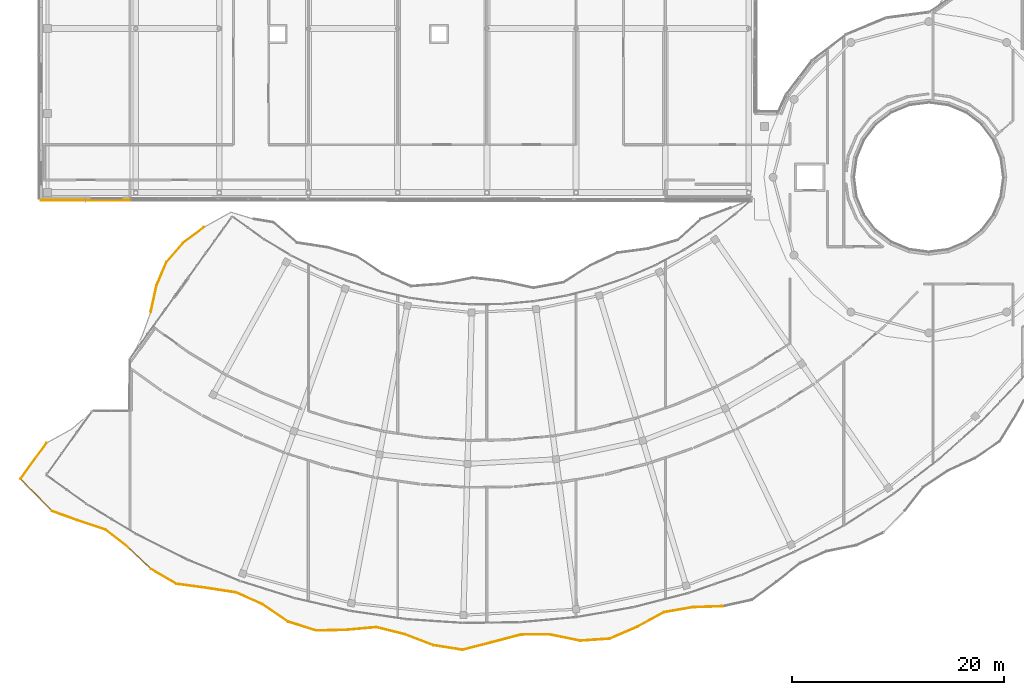
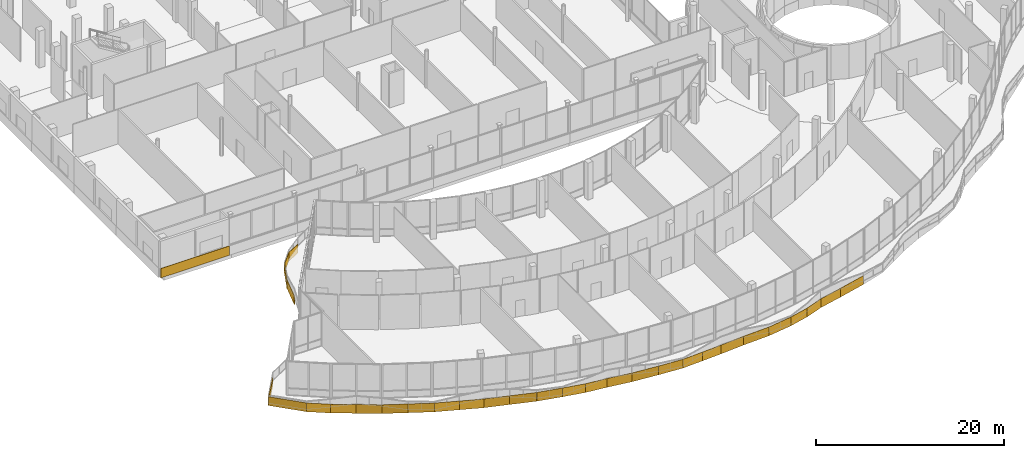
# One storey, part 143 of 155: 31 coverings.
"""IFC4 building model written with IfcOpenShell, lengths in metres."""

from ifc_helpers import new_model, si_unit, direction, frame, origin, origin_2d, place, context, subcontext, project, spatial, polyline, rectangle, outline, extrude, material, layer, layer_set, type_object, element, save


model = new_model("IFC4")

# Units and contexts
model_context = context("Model", 3, precision=1e-05, world=origin(), true_north=direction((0.0, 1.0)))
body_context = subcontext(model_context, "Body", "Model", "MODEL_VIEW")
ifc_project = project(units=[si_unit("LENGTHUNIT", "METRE"), si_unit("AREAUNIT", "SQUARE_METRE"), si_unit("VOLUMEUNIT", "CUBIC_METRE"), si_unit("PLANEANGLEUNIT", "RADIAN"), si_unit("MASSUNIT", "GRAM", prefix="KILO")], contexts=[model_context])

# Site, building, storey
site_placement = place(None, origin())
site = spatial("IfcSite", under=ifc_project, at=site_placement, CompositionType="ELEMENT")
building_placement = place(site_placement, origin())
building = spatial("IfcBuilding", under=site, at=building_placement, Name="Selatvlak General Hospital", CompositionType="ELEMENT")
storey_placement = place(building_placement, frame((0.0, 0.0, 10.199951171875)))
storey = spatial("IfcBuildingStorey", under=building, at=storey_placement, Name="L02", CompositionType="ELEMENT", Elevation=10.199951171875)

# Coverings
ifc_material_1 = material(Name="PVDF aluminium fascia - signal green", Category="aluminium")
ifc_layer_1 = layer(ifc_material_1, 0.070068359375, Name="PVDF aluminium fascia - signal green", Category="aluminium")
ifc_layer_set_1 = layer_set([ifc_layer_1], Name="PVDF aluminium fascia - signal green")
covering_type_1 = type_object("IfcCoveringType", Name="COV-RB-GRN", PredefinedType="CLADDING", material=ifc_layer_set_1)
covering_1_placement = place(storey_placement, frame((29.787109375, 49.306884765625, -0.864990234375), z_axis=(0.0, 0.0, 1.0), x_axis=(-0.800497688976, -0.599335840697, 0.0)))
element("IfcCovering", 1, at=covering_1_placement, inside=storey, type_object=covering_type_1, Name="L02 De Stijl waving fascia streamer 205", PredefinedType="CLADDING", context=body_context, shape_type="SweptSolid", body=[
    extrude(outline(polyline([(0.0, 0.0), (2.470947265625, 0.51416015625), (2.470947265625, 1.654052734375), (0.0, 1.139892578125), (0.0, 0.0)])), frame((0.0, 0.03515625, 0.0), z_axis=(0.0, -1.0, 0.0), x_axis=(1.0, 0.0, 0.0)), (0.0, 0.0, 1.0), 0.070068359375),
])
covering_2_placement = place(storey_placement, frame((27.80908203125, 47.825927734375, -0.350830078125), z_axis=(0.0, 0.0, 1.0), x_axis=(-0.658263751959, -0.752787375596, 0.0)))
element("IfcCovering", 2, at=covering_2_placement, inside=storey, type_object=covering_type_1, Name="L02 De Stijl waving fascia streamer 206", PredefinedType="CLADDING", context=body_context, shape_type="SweptSolid", body=[
    extrude(outline(polyline([(0.0, 0.0), (2.368408203125, 0.15576171875), (2.368408203125, 1.295654296875), (0.0, 1.139892578125), (0.0, 0.0)])), frame((0.0, 0.03515625, 0.0), z_axis=(0.0, -1.0, 0.0), x_axis=(1.0, 0.0, 0.0)), (0.0, 0.0, 1.0), 0.070068359375),
])
covering_3_placement = place(storey_placement, frame((26.25, 46.04296875, -0.195068359375), z_axis=(0.0, 0.0, 1.0), x_axis=(-0.390101148653, -0.920772009685, 0.0)))
element("IfcCovering", 3, at=covering_3_placement, inside=storey, type_object=covering_type_1, Name="L02 De Stijl waving fascia streamer 207", PredefinedType="CLADDING", context=body_context, shape_type="SweptSolid", body=[
    extrude(outline(polyline([(0.0, 0.0), (2.417724609375, -0.370849609375), (2.417724609375, 0.76904296875), (0.0, 1.139892578125), (0.0, 0.0)])), frame((0.0, 0.03515625, 0.0), z_axis=(0.0, -1.0, 0.0), x_axis=(1.0, 0.0, 0.0)), (0.0, 0.0, 1.0), 0.070068359375),
])
covering_4_placement = place(storey_placement, frame((25.306884765625, 43.81689453125, -0.56591796875), z_axis=(0.0, 0.0, 1.0), x_axis=(-0.2158525458, -0.976425971834, 0.0)))
element("IfcCovering", 4, at=covering_4_placement, inside=storey, type_object=covering_type_1, Name="L02 De Stijl waving fascia streamer 208", PredefinedType="CLADDING", context=body_context, shape_type="SweptSolid", body=[
    extrude(outline(polyline([(0.0, 0.0), (2.56640625, -0.406982421875), (2.56640625, 0.73291015625), (0.0, 1.139892578125), (0.0, 0.0)])), frame((0.0, 0.03515625, 0.0), z_axis=(0.0, -1.0, 0.0), x_axis=(1.0, 0.0, 0.0)), (0.0, 0.0, 1.0), 0.070068359375),
])
covering_5_placement = place(storey_placement, frame((14.952880859375, 28.993896484375, -0.740966796875), z_axis=(0.0, 0.0, 1.0), x_axis=(-0.586980920087, -0.809600765473, 0.0)))
element("IfcCovering", 5, at=covering_5_placement, inside=storey, type_object=covering_type_1, Name="L02 De Stijl waving fascia streamer 209", PredefinedType="CLADDING", context=body_context, shape_type="SweptSolid", body=[
    extrude(outline(polyline([(0.0, 0.0), (4.19580078125, 0.489990234375), (4.19580078125, 1.6298828125), (0.0, 1.139892578125), (0.0, 0.0)])), frame((0.0, 0.03515625, 0.0), z_axis=(0.0, -1.0, 0.0), x_axis=(1.0, 0.0, 0.0)), (0.0, 0.0, 1.0), 0.070068359375),
])
covering_6_placement = place(storey_placement, frame((12.488037109375, 25.60693359375, -0.2509765625), z_axis=(0.0, 0.0, 1.0), x_axis=(0.697703146599, -0.71638698985, 0.0)))
element("IfcCovering", 6, at=covering_6_placement, inside=storey, type_object=covering_type_1, Name="L02 De Stijl waving fascia streamer 210", PredefinedType="CLADDING", context=body_context, shape_type="SweptSolid", body=[
    extrude(outline(polyline([(0.0, 0.0), (4.233642578125, -0.009033203125), (4.233642578125, 1.130859375), (0.0, 1.139892578125), (0.0, 0.0)])), frame((0.0, 0.03515625, 0.0), z_axis=(0.0, -1.0, 0.0), x_axis=(1.0, 0.0, 0.0)), (0.0, 0.0, 1.0), 0.070068359375),
])
covering_7_placement = place(storey_placement, frame((15.43798828125, 22.5791015625, -0.260009765625), z_axis=(0.0, 0.0, 1.0), x_axis=(0.93994973175, -0.341312908903, 0.0)))
element("IfcCovering", 7, at=covering_7_placement, inside=storey, type_object=covering_type_1, Name="L02 De Stijl waving fascia streamer 211", PredefinedType="CLADDING", context=body_context, shape_type="SweptSolid", body=[
    extrude(outline(polyline([(0.0, 0.0), (2.55224609375, -0.475830078125), (2.55224609375, 0.6640625), (0.0, 1.139892578125), (0.0, 0.0)])), frame((0.0, 0.03515625, 0.0), z_axis=(0.0, -1.0, 0.0), x_axis=(1.0, 0.0, 0.0)), (0.0, 0.0, 1.0), 0.070068359375),
])
covering_8_placement = place(storey_placement, frame((17.8369140625, 21.708984375, -0.73583984375), z_axis=(0.0, 0.0, 1.0), x_axis=(0.948942890754, -0.31544791977, 0.0)))
element("IfcCovering", 8, at=covering_8_placement, inside=storey, type_object=covering_type_1, Name="L02 De Stijl waving fascia streamer 212", PredefinedType="CLADDING", context=body_context, shape_type="SweptSolid", body=[
    extrude(outline(polyline([(0.0, 0.0), (2.81787109375, -0.43310546875), (2.81787109375, 0.706787109375), (0.0, 1.139892578125), (0.0, 0.0)])), frame((0.0, 0.03515625, 0.0), z_axis=(0.0, -1.0, 0.0), x_axis=(1.0, 0.0, 0.0)), (0.0, 0.0, 1.0), 0.070068359375),
])
covering_9_placement = place(storey_placement, frame((20.510986328125, 20.820068359375, -1.1689453125), z_axis=(0.0, 0.0, 1.0), x_axis=(0.786045532573, -0.618168602181, 0.0)))
element("IfcCovering", 9, at=covering_9_placement, inside=storey, type_object=covering_type_1, Name="L02 De Stijl waving fascia streamer 213", PredefinedType="CLADDING", context=body_context, shape_type="SweptSolid", body=[
    extrude(outline(polyline([(0.0, 0.0), (2.7646484375, 0.236083984375), (2.7646484375, 1.3759765625), (0.0, 1.139892578125), (0.0, 0.0)])), frame((0.0, 0.03515625, 0.0), z_axis=(0.0, -1.0, 0.0), x_axis=(1.0, 0.0, 0.0)), (0.0, 0.0, 1.0), 0.070068359375),
])
covering_10_placement = place(storey_placement, frame((22.68310546875, 19.111083984375, -0.932861328125), z_axis=(0.0, 0.0, 1.0), x_axis=(0.723801806159, -0.690007931404, 0.0)))
element("IfcCovering", 10, at=covering_10_placement, inside=storey, type_object=covering_type_1, Name="L02 De Stijl waving fascia streamer 214", PredefinedType="CLADDING", context=body_context, shape_type="SweptSolid", body=[
    extrude(outline(polyline([(0.0, 0.0), (2.8681640625, 0.58203125), (2.8681640625, 1.721923828125), (0.0, 1.139892578125), (0.0, 0.0)])), frame((0.0, 0.03515625, 0.0), z_axis=(0.0, -1.0, 0.0), x_axis=(1.0, 0.0, 0.0)), (0.0, 0.0, 1.0), 0.070068359375),
])
covering_11_placement = place(storey_placement, frame((24.758056640625, 17.133056640625, -0.350830078125), z_axis=(0.0, 0.0, 1.0), x_axis=(0.861682032283, -0.507448593692, 0.0)))
element("IfcCovering", 11, at=covering_11_placement, inside=storey, type_object=covering_type_1, Name="L02 De Stijl waving fascia streamer 215", PredefinedType="CLADDING", context=body_context, shape_type="SweptSolid", body=[
    extrude(outline(polyline([(0.0, 0.0), (2.78857421875, 0.1318359375), (2.78857421875, 1.271728515625), (0.0, 1.139892578125), (0.0, 0.0)])), frame((0.0, 0.03515625, 0.0), z_axis=(0.0, -1.0, 0.0), x_axis=(1.0, 0.0, 0.0)), (0.0, 0.0, 1.0), 0.070068359375),
])
covering_12_placement = place(storey_placement, frame((27.160888671875, 15.718017578125, -0.218994140625), z_axis=(0.0, 0.0, 1.0), x_axis=(0.991121476336, -0.132959464295, 0.0)))
element("IfcCovering", 12, at=covering_12_placement, inside=storey, type_object=covering_type_1, Name="L02 De Stijl waving fascia streamer 216", PredefinedType="CLADDING", context=body_context, shape_type="SweptSolid", body=[
    extrude(outline(polyline([(0.0, 0.0), (2.873779296875, -0.498046875), (2.873779296875, 0.641845703125), (0.0, 1.139892578125), (0.0, 0.0)])), frame((0.0, 0.03515625, 0.0), z_axis=(0.0, -1.0, 0.0), x_axis=(1.0, 0.0, 0.0)), (0.0, 0.0, 1.0), 0.070068359375),
])
covering_13_placement = place(storey_placement, frame((30.008056640625, 15.3359375, -0.717041015625), z_axis=(0.0, 0.0, 1.0), x_axis=(0.988394833124, -0.151906727479, 0.0)))
element("IfcCovering", 13, at=covering_13_placement, inside=storey, type_object=covering_type_1, Name="L02 De Stijl waving fascia streamer 217", PredefinedType="CLADDING", context=body_context, shape_type="SweptSolid", body=[
    extrude(outline(polyline([(0.0, 0.0), (2.804443359375, -0.447998046875), (2.804443359375, 0.69189453125), (0.0, 1.139892578125), (0.0, 0.0)])), frame((0.0, 0.03515625, 0.0), z_axis=(0.0, -1.0, 0.0), x_axis=(1.0, 0.0, 0.0)), (0.0, 0.0, 1.0), 0.070068359375),
])
covering_14_placement = place(storey_placement, frame((32.780029296875, 14.909912109375, -1.1650390625), z_axis=(0.0, 0.0, 1.0), x_axis=(0.913697858453, -0.40639417252, 0.0)))
element("IfcCovering", 14, at=covering_14_placement, inside=storey, type_object=covering_type_1, Name="L02 De Stijl waving fascia streamer 218", PredefinedType="CLADDING", context=body_context, shape_type="SweptSolid", body=[
    extrude(outline(polyline([(0.0, 0.0), (2.74609375, 0.215087890625), (2.74609375, 1.35498046875), (0.0, 1.139892578125), (0.0, 0.0)])), frame((0.0, 0.03515625, 0.0), z_axis=(0.0, -1.0, 0.0), x_axis=(1.0, 0.0, 0.0)), (0.0, 0.0, 1.0), 0.070068359375),
])
covering_15_placement = place(storey_placement, frame((35.2880859375, 13.7939453125, -0.949951171875), z_axis=(0.0, 0.0, 1.0), x_axis=(0.825922479558, -0.563783697673, 0.0)))
element("IfcCovering", 15, at=covering_15_placement, inside=storey, type_object=covering_type_1, Name="L02 De Stijl waving fascia streamer 219", PredefinedType="CLADDING", context=body_context, shape_type="SweptSolid", body=[
    extrude(outline(polyline([(0.0, 0.0), (2.8984375, 0.583984375), (2.8984375, 1.723876953125), (0.0, 1.139892578125), (0.0, 0.0)])), frame((0.0, 0.03515625, 0.0), z_axis=(0.0, -1.0, 0.0), x_axis=(1.0, 0.0, 0.0)), (0.0, 0.0, 1.0), 0.070068359375),
])
covering_16_placement = place(storey_placement, frame((37.681884765625, 12.160888671875, -0.365966796875), z_axis=(0.0, 0.0, 1.0), x_axis=(0.95330393944, -0.302012580943, 0.0)))
element("IfcCovering", 16, at=covering_16_placement, inside=storey, type_object=covering_type_1, Name="L02 De Stijl waving fascia streamer 220", PredefinedType="CLADDING", context=body_context, shape_type="SweptSolid", body=[
    extrude(outline(polyline([(0.0, 0.0), (2.783935546875, 0.155029296875), (2.783935546875, 1.294921875), (0.0, 1.139892578125), (0.0, 0.0)])), frame((0.0, 0.03515625, 0.0), z_axis=(0.0, -1.0, 0.0), x_axis=(1.0, 0.0, 0.0)), (0.0, 0.0, 1.0), 0.070068359375),
])
covering_17_placement = place(storey_placement, frame((40.3349609375, 11.320068359375, -0.2109375), z_axis=(0.0, 0.0, 1.0), x_axis=(0.99973131496, 0.023179686993, 0.0)))
element("IfcCovering", 17, at=covering_17_placement, inside=storey, type_object=covering_type_1, Name="L02 De Stijl waving fascia streamer 221", PredefinedType="CLADDING", context=body_context, shape_type="SweptSolid", body=[
    extrude(outline(polyline([(0.0, 0.0), (2.84375, -0.486083984375), (2.84375, 0.65380859375), (0.0, 1.139892578125), (0.0, 0.0)])), frame((0.0, 0.03515625, 0.0), z_axis=(0.0, -1.0, 0.0), x_axis=(1.0, 0.0, 0.0)), (0.0, 0.0, 1.0), 0.070068359375),
])
covering_18_placement = place(storey_placement, frame((43.177001953125, 11.385986328125, -0.697021484375), z_axis=(0.0, 0.0, 1.0), x_axis=(0.995912943288, 0.090318377929, 0.0)))
element("IfcCovering", 18, at=covering_18_placement, inside=storey, type_object=covering_type_1, Name="L02 De Stijl waving fascia streamer 222", PredefinedType="CLADDING", context=body_context, shape_type="SweptSolid", body=[
    extrude(outline(polyline([(0.0, 0.0), (2.83544921875, -0.4619140625), (2.83544921875, 0.677978515625), (0.0, 1.139892578125), (0.0, 0.0)])), frame((0.0, 0.03515625, 0.0), z_axis=(0.0, -1.0, 0.0), x_axis=(1.0, 0.0, 0.0)), (0.0, 0.0, 1.0), 0.070068359375),
])
covering_19_placement = place(storey_placement, frame((46.0009765625, 11.64208984375, -1.158935546875), z_axis=(0.0, 0.0, 1.0), x_axis=(0.969576637594, -0.244787956876, 0.0)))
element("IfcCovering", 19, at=covering_19_placement, inside=storey, type_object=covering_type_1, Name="L02 De Stijl waving fascia streamer 223", PredefinedType="CLADDING", context=body_context, shape_type="SweptSolid", body=[
    extrude(outline(polyline([(0.0, 0.0), (2.753662109375, 0.19287109375), (2.753662109375, 1.332763671875), (0.0, 1.139892578125), (0.0, 0.0)])), frame((0.0, 0.03515625, 0.0), z_axis=(0.0, -1.0, 0.0), x_axis=(1.0, 0.0, 0.0)), (0.0, 0.0, 1.0), 0.070068359375),
])
covering_20_placement = place(storey_placement, frame((48.669921875, 10.968017578125, -0.966064453125), z_axis=(0.0, 0.0, 1.0), x_axis=(0.934166260427, -0.356838055537, 0.0)))
element("IfcCovering", 20, at=covering_20_placement, inside=storey, type_object=covering_type_1, Name="L02 De Stijl waving fascia streamer 224", PredefinedType="CLADDING", context=body_context, shape_type="SweptSolid", body=[
    extrude(outline(polyline([(0.0, 0.0), (2.86669921875, 0.584228515625), (2.86669921875, 1.72412109375), (0.0, 1.139892578125), (0.0, 0.0)])), frame((0.0, 0.03515625, 0.0), z_axis=(0.0, -1.0, 0.0), x_axis=(1.0, 0.0, 0.0)), (0.0, 0.0, 1.0), 0.070068359375),
])
covering_21_placement = place(storey_placement, frame((51.347900390625, 9.945068359375, -0.3818359375), z_axis=(0.0, 0.0, 1.0), x_axis=(0.987641539463, -0.156729670216, 0.0)))
element("IfcCovering", 21, at=covering_21_placement, inside=storey, type_object=covering_type_1, Name="L02 De Stijl waving fascia streamer 225", PredefinedType="CLADDING", context=body_context, shape_type="SweptSolid", body=[
    extrude(outline(polyline([(0.0, 0.0), (2.79443359375, 0.177001953125), (2.79443359375, 1.31689453125), (0.0, 1.139892578125), (0.0, 0.0)])), frame((0.0, 0.03515625, 0.0), z_axis=(0.0, -1.0, 0.0), x_axis=(1.0, 0.0, 0.0)), (0.0, 0.0, 1.0), 0.070068359375),
])
covering_22_placement = place(storey_placement, frame((54.10693359375, 9.507080078125, -0.204833984375), z_axis=(0.0, 0.0, 1.0), x_axis=(0.96849234565, 0.249043322371, 0.0)))
element("IfcCovering", 22, at=covering_22_placement, inside=storey, type_object=covering_type_1, Name="L02 De Stijl waving fascia streamer 226", PredefinedType="CLADDING", context=body_context, shape_type="SweptSolid", body=[
    extrude(outline(polyline([(0.0, 0.0), (2.866455078125, -0.47314453125), (2.866455078125, 0.666748046875), (0.0, 1.139892578125), (0.0, 0.0)])), frame((0.0, 0.03515625, 0.0), z_axis=(0.0, -1.0, 0.0), x_axis=(1.0, 0.0, 0.0)), (0.0, 0.0, 1.0), 0.070068359375),
])
covering_23_placement = place(storey_placement, frame((56.883056640625, 10.220947265625, -0.677978515625), z_axis=(0.0, 0.0, 1.0), x_axis=(0.966643988985, 0.256123795377, 0.0)))
element("IfcCovering", 23, at=covering_23_placement, inside=storey, type_object=covering_type_1, Name="L02 De Stijl waving fascia streamer 227", PredefinedType="CLADDING", context=body_context, shape_type="SweptSolid", body=[
    extrude(outline(polyline([(0.0, 0.0), (2.81494140625, -0.47607421875), (2.81494140625, 0.663818359375), (0.0, 1.139892578125), (0.0, 0.0)])), frame((0.0, 0.03515625, 0.0), z_axis=(0.0, -1.0, 0.0), x_axis=(1.0, 0.0, 0.0)), (0.0, 0.0, 1.0), 0.070068359375),
])
covering_24_placement = place(storey_placement, frame((59.60302734375, 10.94189453125, -1.154052734375), z_axis=(0.0, 0.0, 1.0), x_axis=(0.999998854407, 0.001513665793, 0.0)))
element("IfcCovering", 24, at=covering_24_placement, inside=storey, type_object=covering_type_1, Name="L02 De Stijl waving fascia streamer 228", PredefinedType="CLADDING", context=body_context, shape_type="SweptSolid", body=[
    extrude(outline(polyline([(0.0, 0.0), (2.741943359375, 0.172119140625), (2.741943359375, 1.31201171875), (0.0, 1.139892578125), (0.0, 0.0)])), frame((0.0, 0.03515625, 0.0), z_axis=(0.0, -1.0, 0.0), x_axis=(1.0, 0.0, 0.0)), (0.0, 0.0, 1.0), 0.070068359375),
])
covering_25_placement = place(storey_placement, frame((62.343994140625, 10.946044921875, -0.98193359375), z_axis=(0.0, 0.0, 1.0), x_axis=(0.979758893149, -0.200181196158, 0.0)))
element("IfcCovering", 25, at=covering_25_placement, inside=storey, type_object=covering_type_1, Name="L02 De Stijl waving fascia streamer 229", PredefinedType="CLADDING", context=body_context, shape_type="SweptSolid", body=[
    extrude(outline(polyline([(0.0, 0.0), (2.897705078125, 0.5849609375), (2.897705078125, 1.724853515625), (0.0, 1.139892578125), (0.0, 0.0)])), frame((0.0, 0.03515625, 0.0), z_axis=(0.0, -1.0, 0.0), x_axis=(1.0, 0.0, 0.0)), (0.0, 0.0, 1.0), 0.070068359375),
])
covering_26_placement = place(storey_placement, frame((65.18310546875, 10.365966796875, -0.39697265625), z_axis=(0.0, 0.0, 1.0), x_axis=(0.997651838207, 0.068489486215, 0.0)))
element("IfcCovering", 26, at=covering_26_placement, inside=storey, type_object=covering_type_1, Name="L02 De Stijl waving fascia streamer 230", PredefinedType="CLADDING", context=body_context, shape_type="SweptSolid", body=[
    extrude(outline(polyline([(0.0, 0.0), (2.78759765625, 0.197998046875), (2.78759765625, 1.337890625), (0.0, 1.139892578125), (0.0, 0.0)])), frame((0.0, 0.03515625, 0.0), z_axis=(0.0, -1.0, 0.0), x_axis=(1.0, 0.0, 0.0)), (0.0, 0.0, 1.0), 0.070068359375),
])
covering_27_placement = place(storey_placement, frame((67.962890625, 10.556884765625, -0.198974609375), z_axis=(0.0, 0.0, 1.0), x_axis=(0.91799257132, 0.396597578159, 0.0)))
element("IfcCovering", 27, at=covering_27_placement, inside=storey, type_object=covering_type_1, Name="L02 De Stijl waving fascia streamer 231", PredefinedType="CLADDING", context=body_context, shape_type="SweptSolid", body=[
    extrude(outline(polyline([(0.0, 0.0), (2.836669921875, -0.458984375), (2.836669921875, 0.680908203125), (0.0, 1.139892578125), (0.0, 0.0)])), frame((0.0, 0.03515625, 0.0), z_axis=(0.0, -1.0, 0.0), x_axis=(1.0, 0.0, 0.0)), (0.0, 0.0, 1.0), 0.070068359375),
])
covering_28_placement = place(storey_placement, frame((70.56689453125, 11.681884765625, -0.657958984375), z_axis=(0.0, 0.0, 1.0), x_axis=(0.877264969908, 0.480006429719, 0.0)))
element("IfcCovering", 28, at=covering_28_placement, inside=storey, type_object=covering_type_1, Name="L02 De Stijl waving fascia streamer 232", PredefinedType="CLADDING", context=body_context, shape_type="SweptSolid", body=[
    extrude(outline(polyline([(0.0, 0.0), (2.84423828125, -0.489013671875), (2.84423828125, 0.65087890625), (0.0, 1.139892578125), (0.0, 0.0)])), frame((0.0, 0.03515625, 0.0), z_axis=(0.0, -1.0, 0.0), x_axis=(1.0, 0.0, 0.0)), (0.0, 0.0, 1.0), 0.070068359375),
])
covering_29_placement = place(storey_placement, frame((73.06103515625, 13.0458984375, -1.14697265625), z_axis=(0.0, 0.0, 1.0), x_axis=(0.985032354889, 0.172369544359, 0.0)))
element("IfcCovering", 29, at=covering_29_placement, inside=storey, type_object=covering_type_1, Name="L02 De Stijl waving fascia streamer 233", PredefinedType="CLADDING", context=body_context, shape_type="SweptSolid", body=[
    extrude(outline(polyline([(0.0, 0.0), (2.744873046875, 0.14892578125), (2.744873046875, 1.288818359375), (0.0, 1.139892578125), (0.0, 0.0)])), frame((0.0, 0.03515625, 0.0), z_axis=(0.0, -1.0, 0.0), x_axis=(1.0, 0.0, 0.0)), (0.0, 0.0, 1.0), 0.070068359375),
])
covering_30_placement = place(storey_placement, frame((75.763916015625, 13.51904296875, -0.998046875), z_axis=(0.0, 0.0, 1.0), x_axis=(0.999462256887, 0.032790197606, 0.0)))
element("IfcCovering", 30, at=covering_30_placement, inside=storey, type_object=covering_type_1, Name="L02 De Stijl waving fascia streamer 234", PredefinedType="CLADDING", context=body_context, shape_type="SweptSolid", body=[
    extrude(outline(polyline([(0.0, 0.0), (2.866455078125, 0.583984375), (2.866455078125, 1.723876953125), (0.0, 1.139892578125), (0.0, 0.0)])), frame((0.0, 0.03515625, 0.0), z_axis=(0.0, -1.0, 0.0), x_axis=(1.0, 0.0, 0.0)), (0.0, 0.0, 1.0), 0.070068359375),
])
ifc_material_2 = material(Name="White Bauhaus fair-faced cladding panel")
ifc_layer_2 = layer(ifc_material_2, 0.054931640625, Name="White Bauhaus fair-faced cladding panel")
ifc_layer_set_2 = layer_set([ifc_layer_2], Name="White Bauhaus fair-faced cladding panel")
covering_type_2 = type_object("IfcCoveringType", Name="COV-WHT1", PredefinedType="CLADDING", material=ifc_layer_set_2)
covering_31_placement = place(storey_placement, frame((18.60498046875, 51.8349609375, -0.27978515625), z_axis=(0.0, 0.0, 1.0), x_axis=(-1.0, 0.0, 0.0)))
element("IfcCovering", 31, at=covering_31_placement, inside=storey, type_object=covering_type_2, Name="L02 Bauhaus horizontal white spandrel band 0177", PredefinedType="CLADDING", context=body_context, shape_type="SweptSolid", body=[
    extrude(rectangle(XDim=8.408935546875, YDim=0.054931640625, at=origin_2d()), origin(), (0.0, 0.0, 1.0), 1.219970703125),
])

save(model, "model.ifc")
